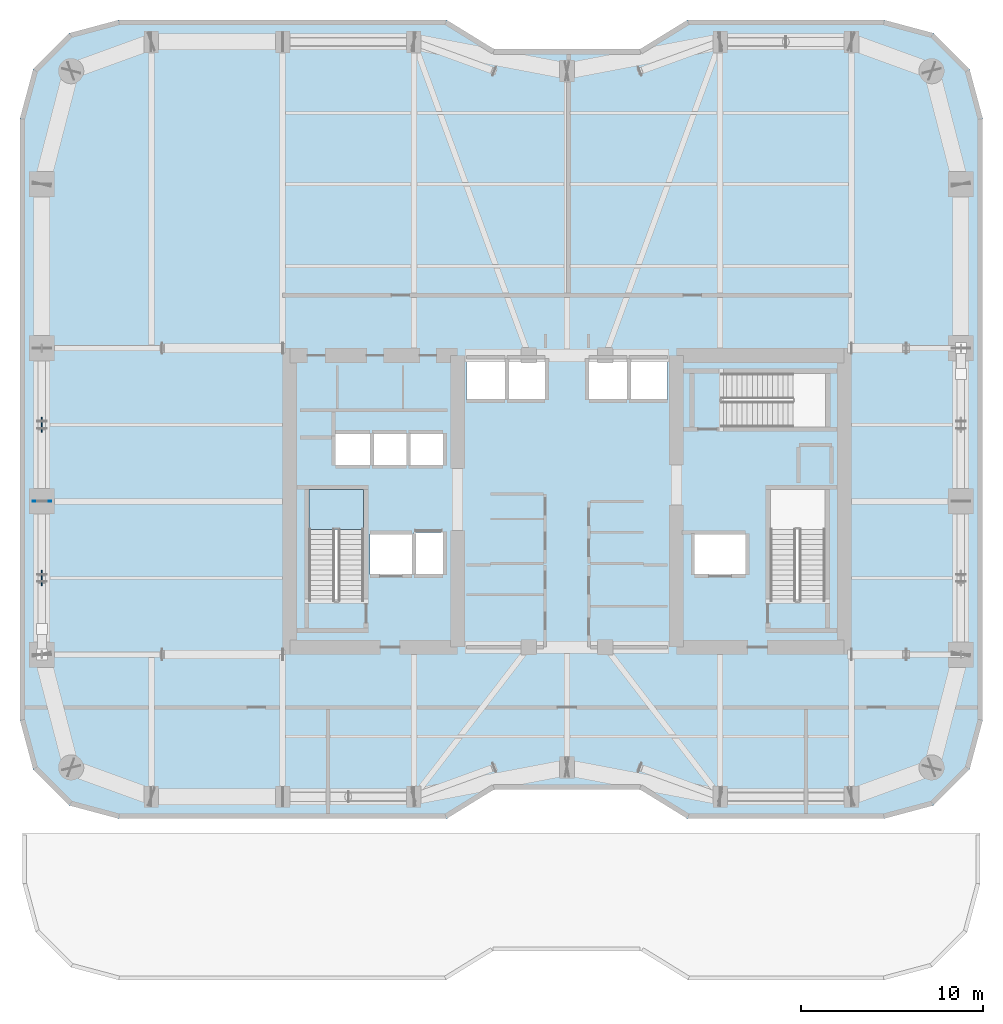
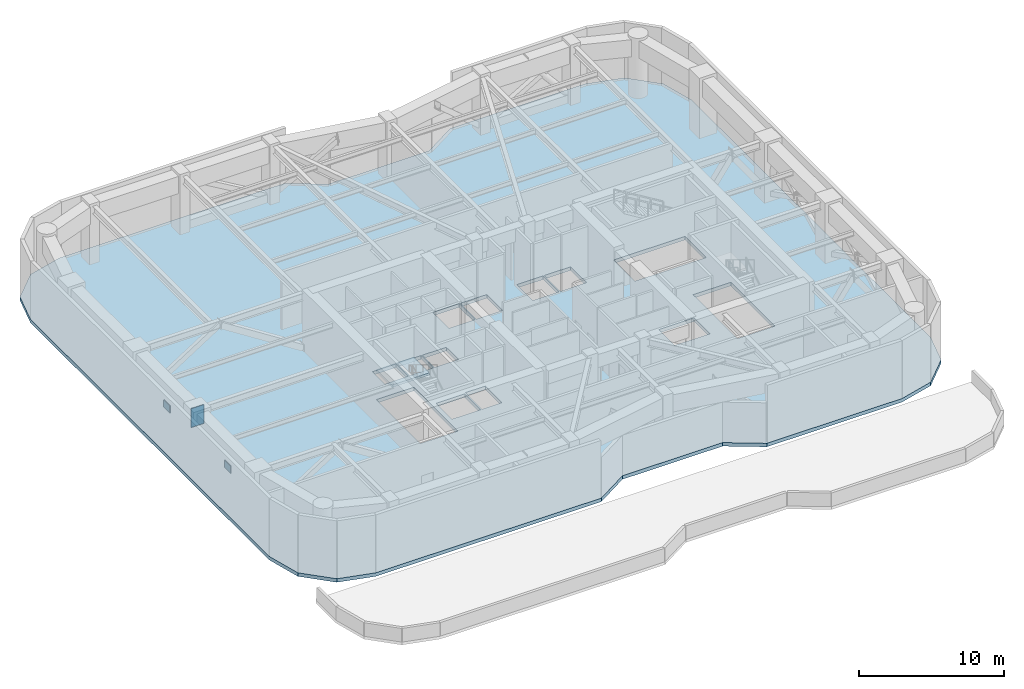
# One storey, part 4 of 16: 4 plates, 2 slabs, 1 element without a shape of its own.
"""IFC4 building model written with IfcOpenShell, lengths in metres."""

from ifc_helpers import new_model, si_unit, direction, frame, origin, origin_2d, place, context, subcontext, project, spatial, polyline, rectangle, outline, extrude, material, layer, layer_set, type_object, element, aggregate, save


model = new_model("IFC4")

# Units and contexts
model_context = context("Model", 3, precision=1e-05, world=origin(), true_north=direction((0.0, 1.0)))
body_context = subcontext(model_context, "Body", "Model", "MODEL_VIEW")
ifc_project = project(units=[si_unit("LENGTHUNIT", "METRE"), si_unit("AREAUNIT", "SQUARE_METRE"), si_unit("VOLUMEUNIT", "CUBIC_METRE"), si_unit("PLANEANGLEUNIT", "RADIAN"), si_unit("MASSUNIT", "GRAM", prefix="KILO")], contexts=[model_context])

# Site, building, storey
site_placement = place(None, origin())
site = spatial("IfcSite", under=ifc_project, at=site_placement, CompositionType="ELEMENT")
building_placement = place(site_placement, origin())
building = spatial("IfcBuilding", under=site, at=building_placement, Name="Kiyonajd Concourse Tower", CompositionType="ELEMENT")
storey_placement = place(building_placement, frame((0.0, 0.0, 145.5)))
storey = spatial("IfcBuildingStorey", under=building, at=storey_placement, Name="L37", CompositionType="ELEMENT", Elevation=145.5)

# Plates
ifc_material_1 = material(Name="Steel ASTM A572 Grade 50", Category="steel")
ifc_layer_1 = layer(ifc_material_1, 0.031982421875)
ifc_layer_set_1 = layer_set([ifc_layer_1], Name="Steel ASTM A572 Grade 50")
plate_type_1 = type_object("IfcPlateType", Name="PL-CAP-540", PredefinedType="USERDEFINED", material=ifc_layer_set_1)
for number, where, z_axis, x_axis, name in (
    (1, (19.199951171875, 35.989013671875, 3.35986328125), (0.0, 0.0, 1.0), (0.0, -1.0, 0.0), "L37 Welded Box Girder End Cap"),
    (2, (19.199951171875, 36.010986328125, 3.35986328125), (0.0, 0.0, 1.0), (0.0, 1.0, 0.0), "L37 Welded Box Girder End Cap"),
):
    element("IfcPlate", number, at=place(storey_placement, frame(where, z_axis=z_axis, x_axis=x_axis)), inside=storey, type_object=plate_type_1, Name=name, ObjectType="CAP PLATE", PredefinedType="USERDEFINED", context=body_context, shape_type="SweptSolid", body=[
        extrude(rectangle(XDim=0.035888671875, YDim=1.02001953125, at=origin_2d()), origin(), (0.0, 0.0, 1.0), 1.590087890625),
    ])
ifc_layer_2 = layer(ifc_material_1, 0.06005859375)
ifc_layer_set_2 = layer_set([ifc_layer_2], Name="Steel ASTM A572 Grade 50")
plate_type_2 = type_object("IfcPlateType", Name="PL-XNODE-60", PredefinedType="USERDEFINED", material=ifc_layer_set_2)
for number, where, z_axis, x_axis, name in (
    (3, (19.199951171875, 31.800048828125, 2.114990234375), (0.0, 0.0, 1.0), (1.0, 0.0, 0.0), "L37 Belt Truss X Brace Crossing Gusset Plate XN1 W1"),
    (4, (19.199951171875, 40.199951171875, 2.114990234375), (0.0, 0.0, 1.0), (1.0, 0.0, 0.0), "L37 Belt Truss X Brace Crossing Gusset Plate XN1 W2"),
):
    element("IfcPlate", number, at=place(storey_placement, frame(where, z_axis=z_axis, x_axis=x_axis)), inside=storey, type_object=plate_type_2, Name=name, ObjectType="GUSSET PLATE", PredefinedType="USERDEFINED", context=body_context, shape_type="SweptSolid", body=[
        extrude(rectangle(XDim=0.06005859375, YDim=0.840087890625, at=origin_2d()), origin(), (0.0, 0.0, 1.0), 0.60009765625),
    ])

# Stair, slab
ifc_material_2 = material(Name="Concrete C40/50", Category="concrete")
stair_type = type_object("IfcStairType", Name="ST-DLG-30R", PredefinedType="HALF_TURN_STAIR", material=ifc_material_2)
stair_placement = place(storey_placement, origin())
stair = element("IfcStair", 5, at=stair_placement, inside=storey, type_object=stair_type, Name="L37 Protected Exit Stair ST1", PredefinedType="HALF_TURN_STAIR")
ifc_layer_3 = layer(ifc_material_2, 0.199951171875)
ifc_layer_set_3 = layer_set([ifc_layer_3], Name="Concrete C40/50")
slab_type_1 = type_object("IfcSlabType", Name="SL-LND-200", PredefinedType="LANDING", material=ifc_layer_set_3)
slab_1_placement = place(storey_placement, frame((0.0, 0.0, 2.35009765625)))
slab_1 = element("IfcSlab", 6, at=slab_1_placement, type_object=slab_type_1, Name="ST1 landing 1", PredefinedType="LANDING", context=body_context, shape_type="SweptSolid", body=[
    extrude(outline(polyline([(36.85009765625, 34.469970703125), (36.85009765625, 36.64990234375), (33.85009765625, 36.64990234375), (33.85009765625, 34.469970703125), (36.85009765625, 34.469970703125)])), origin(), (0.0, 0.0, 1.0), 0.199951171875),
])
aggregate(stair, [slab_1])

# Slab
ifc_material_3 = material(Name="Concrete C50/60", Category="concrete")
ifc_layer_4 = layer(ifc_material_3, 0.300048828125)
ifc_layer_set_4 = layer_set([ifc_layer_4], Name="Concrete C50/60")
slab_type_2 = type_object("IfcSlabType", Name="SL-MEP-300", PredefinedType="FLOOR", material=ifc_layer_set_4)
slab_2_placement = place(storey_placement, frame((0.0, 0.0, -0.300048828125)))
element("IfcSlab", 7, at=slab_2_placement, inside=storey, type_object=slab_type_2, Name="L37 Tower Conditioned Floor Slab", PredefinedType="FLOOR", context=body_context, shape_type="SweptSolid", body=[
    extrude(outline(polyline([(18.0, 24.0), (18.722900390625, 21.300048828125), (20.699951171875, 19.322998046875), (23.39990234375, 18.60009765625), (41.39990234375, 18.60009765625), (44.0, 20.199951171875), (52.0, 20.199951171875), (54.60009765625, 18.60009765625), (65.39990234375, 18.60009765625), (68.10009765625, 19.322998046875), (70.076904296875, 21.300048828125), (70.800048828125, 24.0), (70.800048828125, 57.0), (70.076904296875, 59.699951171875), (68.10009765625, 61.677001953125), (65.39990234375, 62.39990234375), (54.60009765625, 62.39990234375), (52.0, 60.800048828125), (44.0, 60.800048828125), (41.39990234375, 62.39990234375), (23.39990234375, 62.39990234375), (20.699951171875, 61.677001953125), (18.722900390625, 59.699951171875), (18.0, 57.0), (18.0, 24.0)]), holes=[polyline([(39.5, 32.0), (37.199951171875, 32.0), (37.199951171875, 34.199951171875), (39.5, 34.199951171875), (39.5, 32.0)]), polyline([(39.60009765625, 32.0), (39.60009765625, 34.300048828125), (41.199951171875, 34.300048828125), (41.199951171875, 32.0), (39.60009765625, 32.0)]), polyline([(33.85009765625, 30.550048828125), (33.85009765625, 36.64990234375), (36.85009765625, 36.64990234375), (36.85009765625, 30.550048828125), (33.85009765625, 30.550048828125)]), polyline([(37.199951171875, 38.0), (35.300048828125, 38.0), (35.300048828125, 39.699951171875), (37.199951171875, 39.699951171875), (37.199951171875, 38.0)]), polyline([(37.300048828125, 38.0), (37.300048828125, 39.699951171875), (39.199951171875, 39.699951171875), (39.199951171875, 38.0), (37.300048828125, 38.0)]), polyline([(39.300048828125, 38.0), (39.300048828125, 39.699951171875), (41.199951171875, 39.699951171875), (41.199951171875, 38.0), (39.300048828125, 38.0)]), polyline([(44.60009765625, 41.60009765625), (42.5, 41.60009765625), (42.5, 43.800048828125), (44.60009765625, 43.800048828125), (44.60009765625, 41.60009765625)]), polyline([(55.0, 32.0), (55.0, 34.199951171875), (57.800048828125, 34.199951171875), (57.800048828125, 32.0), (55.0, 32.0)]), polyline([(59.14990234375, 30.550048828125), (59.14990234375, 36.64990234375), (62.14990234375, 36.64990234375), (62.14990234375, 30.550048828125), (59.14990234375, 30.550048828125)]), polyline([(56.47998046875, 43.02001953125), (62.179931640625, 43.02001953125), (62.179931640625, 40.080078125), (56.47998046875, 40.080078125), (56.47998046875, 43.02001953125)]), polyline([(44.699951171875, 41.60009765625), (44.699951171875, 43.800048828125), (46.800048828125, 43.800048828125), (46.800048828125, 41.60009765625), (44.699951171875, 41.60009765625)]), polyline([(49.199951171875, 41.60009765625), (49.199951171875, 43.800048828125), (51.300048828125, 43.800048828125), (51.300048828125, 41.60009765625), (49.199951171875, 41.60009765625)]), polyline([(51.39990234375, 41.60009765625), (51.39990234375, 43.800048828125), (53.5, 43.800048828125), (53.5, 41.60009765625), (51.39990234375, 41.60009765625)])]), origin(), (0.0, 0.0, 1.0), 0.300048828125),
])

save(model, "model.ifc")
